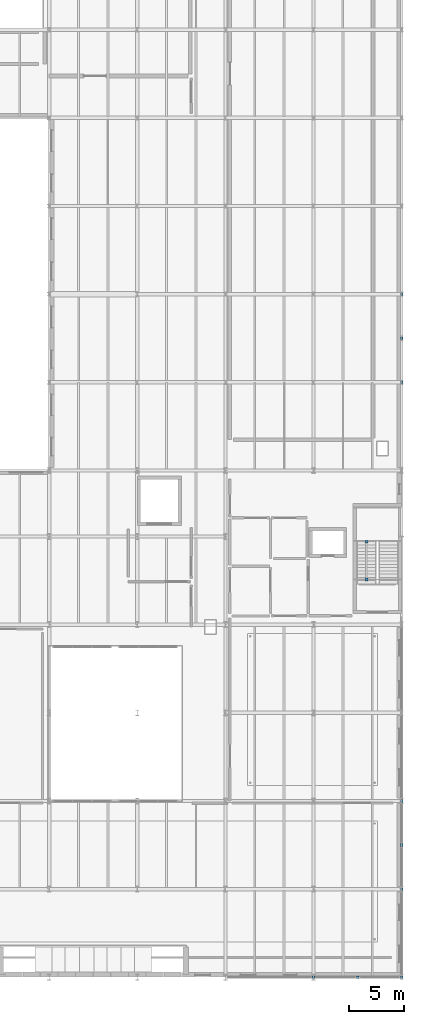
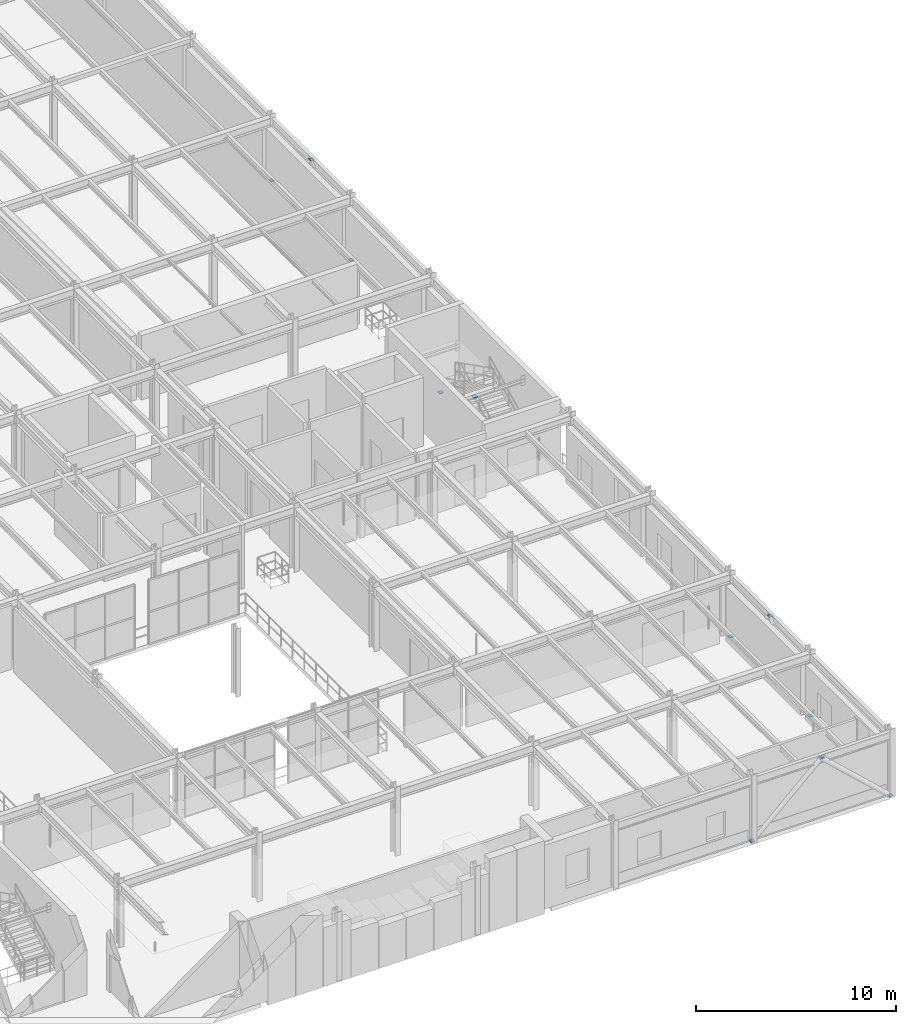
# One storey, part 109 of 122: 11 discrete accessories.
"""IFC4 building model written with IfcOpenShell, lengths in metres."""

from ifc_helpers import new_model, si_unit, direction, frame, origin, origin_2d, place, context, subcontext, project, spatial, rectangle, extrude, material, type_object, element, save


model = new_model("IFC4")

# Units and contexts
model_context = context("Model", 3, precision=1e-05, world=origin(), true_north=direction((0.0, 1.0)))
body_context = subcontext(model_context, "Body", "Model", "MODEL_VIEW")
ifc_project = project(units=[si_unit("LENGTHUNIT", "METRE"), si_unit("AREAUNIT", "SQUARE_METRE"), si_unit("VOLUMEUNIT", "CUBIC_METRE"), si_unit("PLANEANGLEUNIT", "RADIAN"), si_unit("MASSUNIT", "GRAM", prefix="KILO")], contexts=[model_context])

# Site, building, storey
site_placement = place(None, origin())
site = spatial("IfcSite", under=ifc_project, at=site_placement, CompositionType="ELEMENT")
building_placement = place(site_placement, origin())
building = spatial("IfcBuilding", under=site, at=building_placement, Name="Sundkrona Museum", CompositionType="ELEMENT")
storey_placement = place(building_placement, frame((0.0, 0.0, 5.39990234375)))
storey = spatial("IfcBuildingStorey", under=building, at=storey_placement, Name="L01", CompositionType="ELEMENT", Elevation=5.39990234375)

# Discrete accessories
ifc_material = material(Name="Stainless Steel EN 1.4404 Cleat", Category="steel")
discrete_accessory_type = type_object("IfcDiscreteAccessoryType", Name="BRK-FIN-01", PredefinedType="BRACKET", material=ifc_material)
for number, where, z_axis, x_axis, name in (
    (1, (160.0, 0.0, -0.012451171875), (0.0, 0.0, 1.0), (1.0, 0.0, 0.0), "Brace and Strut End Connection Plate BR-L01-003A-1"),
    (2, (164.0, 0.0, 3.687744140625), (0.0, 0.0, 1.0), (1.0, 0.0, 0.0), "Brace and Strut End Connection Plate BR-L01-003A-2"),
    (3, (168.0, 0.0, -0.012451171875), (0.0, 0.0, 1.0), (1.0, 0.0, 0.0), "Brace and Strut End Connection Plate BR-L01-003B-1"),
    (4, (168.0, 8.0, -0.012451171875), (0.0, 0.0, 1.0), (1.0, 0.0, 0.0), "Brace and Strut End Connection Plate BR-L01-009A-1"),
    (5, (168.0, 12.0, 3.687744140625), (0.0, 0.0, 1.0), (1.0, 0.0, 0.0), "Brace and Strut End Connection Plate BR-L01-009A-2"),
    (6, (168.0, 16.0, -0.012451171875), (0.0, 0.0, 1.0), (1.0, 0.0, 0.0), "Brace and Strut End Connection Plate BR-L01-009B-1"),
    (7, (168.0, 54.0, -0.012451171875), (0.0, 0.0, 1.0), (1.0, 0.0, 0.0), "Brace and Strut End Connection Plate BR-L01-027A-1"),
    (8, (168.0, 58.0, 3.707763671875), (0.0, 0.0, 1.0), (1.0, 0.0, 0.0), "Brace and Strut End Connection Plate BR-L01-027A-2"),
    (9, (168.0, 62.0, -0.012451171875), (0.0, 0.0, 1.0), (1.0, 0.0, 0.0), "Brace and Strut End Connection Plate BR-L01-027B-1"),
    (10, (164.800048828125, 39.534912109375, 1.767578125), (0.0, 0.0, 1.0), (1.0, 0.0, 0.0), "Brace and Strut End Connection Plate RK-ST-ST-1-L01-2-1"),
    (11, (164.800048828125, 36.10009765625, 3.60107421875), (0.0, 0.0, 1.0), (1.0, 0.0, 0.0), "Brace and Strut End Connection Plate RK-ST-ST-1-L01-2-2"),
):
    element("IfcDiscreteAccessory", number, at=place(storey_placement, frame(where, z_axis=z_axis, x_axis=x_axis)), inside=storey, type_object=discrete_accessory_type, Name=name, PredefinedType="BRACKET", context=body_context, shape_type="SweptSolid", body=[
        extrude(rectangle(XDim=0.239990234375, YDim=0.239990234375, at=origin_2d()), origin(), (0.0, 0.0, 1.0), 0.02490234375),
    ])

save(model, "model.ifc")
